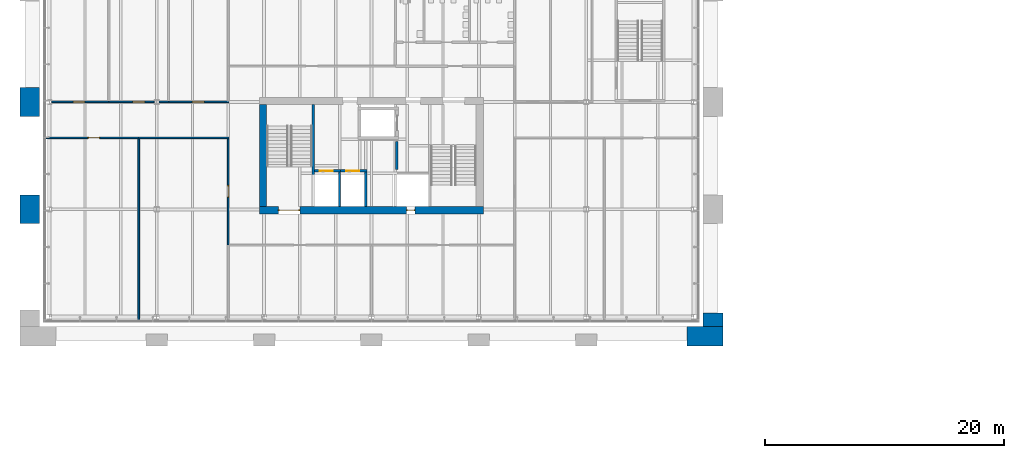
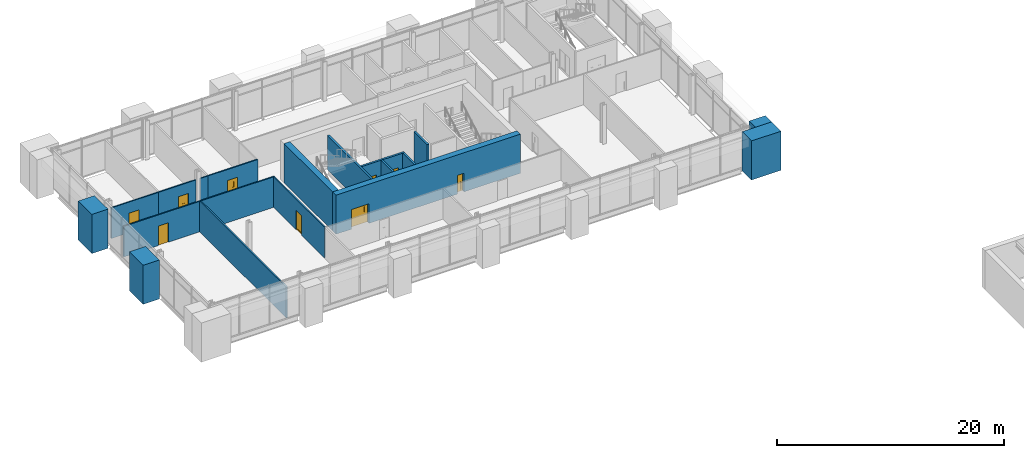
# One storey, part 23 of 43: 20 walls, 9 doors, 9 openings.
"""IFC4 building model written with IfcOpenShell, lengths in metres."""

from ifc_helpers import new_model, si_unit, direction, frame, frame_2d, origin, place, context, subcontext, project, spatial, polyline, rectangle, outline, extrude, material, layer, layer_set, type_object, element, fill, save


model = new_model("IFC4")

# Units and contexts
model_context = context("Model", 3, precision=1e-05, world=origin(), true_north=direction((0.0, 1.0)))
body_context = subcontext(model_context, "Body", "Model", "MODEL_VIEW")
ifc_project = project(units=[si_unit("LENGTHUNIT", "METRE"), si_unit("AREAUNIT", "SQUARE_METRE"), si_unit("VOLUMEUNIT", "CUBIC_METRE"), si_unit("PLANEANGLEUNIT", "RADIAN"), si_unit("MASSUNIT", "GRAM", prefix="KILO")], contexts=[model_context])

# Site, building, storey
site_placement = place(None, origin())
site = spatial("IfcSite", under=ifc_project, at=site_placement, CompositionType="ELEMENT")
building_placement = place(site_placement, origin())
building = spatial("IfcBuilding", under=site, at=building_placement, Name="Baradari Gate Terminus", CompositionType="ELEMENT")
storey_placement = place(building_placement, frame((0.0, 0.0, 20.10009765625)))
storey = spatial("IfcBuildingStorey", under=building, at=storey_placement, Name="L04", CompositionType="ELEMENT", Elevation=20.10009765625)

# Wall, opening, door
ifc_material_1 = material(Name="Gypsum board")
ifc_layer_1 = layer(ifc_material_1, 0.125)
ifc_layer_set_1 = layer_set([ifc_layer_1], Name="Gypsum board")
wall_type_1 = type_object("IfcWallType", Name="Corridor partition PT-5 125 EI 30", PredefinedType="PARTITIONING", material=ifc_layer_set_1)
wall_1_placement = place(storey_placement, frame((16.5, 132.0, 0.0), z_axis=(0.0, 0.0, 1.0), x_axis=(-1.0, 0.0, 0.0)))
wall_1 = element("IfcWall", 1, at=wall_1_placement, inside=storey, type_object=wall_type_1, Name="PT-5 partition Corridor / Planning Office", PredefinedType="PARTITIONING", context=body_context, shape_type="SweptSolid", body=[
    extrude(rectangle(XDim=7.77001953125, YDim=0.125, at=frame_2d((3.885009765625, 0.0))), origin(), (0.0, 0.0, 1.0), 3.286865234375),
])
opening_1_placement = place(wall_1_placement, frame((3.25, 0.0, 0.0)))
opening_1 = element("IfcOpeningElement", 2, at=opening_1_placement, cuts=wall_1, Name="Opening D04-022", PredefinedType="OPENING", context=body_context, shape_type="SweptSolid", body=[
    extrude(rectangle(XDim=1.0, YDim=2.10009765625, at=frame_2d((0.5, 1.050048828125))), frame((0.0, 0.072509765625, 0.0), z_axis=(0.0, -1.0, 0.0), x_axis=(1.0, 0.0, 0.0)), (0.0, 0.0, 1.0), 0.14501953125),
])
ifc_material_2 = material(Name="Steel S275", Category="steel")
door_type_1 = type_object("IfcDoorType", Name="Fire door FI-1000-FD30S 1000x2100 FD30S", OperationType="SINGLE_SWING_LEFT", PredefinedType="DOOR", material=ifc_material_2)
door_1_placement = place(opening_1_placement, origin())
door_1 = element("IfcDoor", 3, at=door_1_placement, inside=storey, type_object=door_type_1, Name="Door Planning Office", OperationType="SINGLE_SWING_LEFT", OverallHeight=2.1, OverallWidth=1.0, PredefinedType="DOOR", context=body_context, shape_type="SweptSolid", body=[
    extrude(outline(polyline([(0.0, 0.0), (0.070068359375, 0.0), (0.070068359375, 2.030029296875), (0.929931640625, 2.030029296875), (0.929931640625, 0.0), (1.0, 0.0), (1.0, 2.10009765625), (0.0, 2.10009765625), (0.0, 0.0)])), frame((0.0, 0.02490234375, 0.0), z_axis=(0.0, -1.0, 0.0), x_axis=(1.0, 0.0, 0.0)), (0.0, 0.0, 1.0), 0.050048828125),
    extrude(outline(polyline([(0.073974609375, 0.010009765625), (0.926025390625, 0.010009765625), (0.926025390625, 2.026123046875), (0.073974609375, 2.026123046875), (0.073974609375, 0.010009765625)]), holes=[polyline([(0.194091796875, 0.159912109375), (0.805908203125, 0.159912109375), (0.805908203125, 1.010009765625), (0.194091796875, 1.010009765625), (0.194091796875, 0.159912109375)]), polyline([(0.35009765625, 1.159912109375), (0.64990234375, 1.159912109375), (0.64990234375, 1.760009765625), (0.35009765625, 1.760009765625), (0.35009765625, 1.159912109375)])]), frame((0.0, 0.017333984375, 0.0), z_axis=(0.0, -1.0, 0.0), x_axis=(1.0, 0.0, 0.0)), (0.0, 0.0, 1.0), 0.034912109375),
    extrude(rectangle(XDim=0.61181640625, YDim=0.85009765625, at=frame_2d((0.5, 0.5849609375))), frame((0.0, 0.008544921875, 0.0), z_axis=(0.0, -1.0, 0.0), x_axis=(1.0, 0.0, 0.0)), (0.0, 0.0, 1.0), 0.017333984375),
    extrude(rectangle(XDim=0.2998046875, YDim=0.60009765625, at=frame_2d((0.5, 1.4599609375))), frame((0.0, 0.005859375, 0.0), z_axis=(0.0, -1.0, 0.0), x_axis=(1.0, 0.0, 0.0)), (0.0, 0.0, 1.0), 0.011962890625),
])
fill(opening_1, door_1)

wall_2_placement = place(storey_placement, frame((24.0, 123.0, 0.0), z_axis=(0.0, 0.0, 1.0), x_axis=(0.0, 1.0, 0.0)))
wall_2 = element("IfcWall", 4, at=wall_2_placement, inside=storey, type_object=wall_type_1, Name="PT-5 partition Corridor / Records Room", PredefinedType="PARTITIONING", context=body_context, shape_type="SweptSolid", body=[
    extrude(rectangle(XDim=8.9375, YDim=0.125, at=frame_2d((4.46875, 0.0))), origin(), (0.0, 0.0, 1.0), 3.286865234375),
])
opening_2_placement = place(wall_2_placement, frame((4.0, 0.0, 0.0)))
opening_2 = element("IfcOpeningElement", 5, at=opening_2_placement, cuts=wall_2, Name="Opening D04-023", PredefinedType="OPENING", context=body_context, shape_type="SweptSolid", body=[
    extrude(rectangle(XDim=1.0, YDim=2.10009765625, at=frame_2d((0.5, 1.050048828125))), frame((0.0, 0.072509765625, 0.0), z_axis=(0.0, -1.0, 0.0), x_axis=(1.0, 0.0, 0.0)), (0.0, 0.0, 1.0), 0.14501953125),
])
door_2_placement = place(opening_2_placement, origin())
door_2 = element("IfcDoor", 6, at=door_2_placement, inside=storey, type_object=door_type_1, Name="Door Records Room", OperationType="SINGLE_SWING_RIGHT", OverallHeight=2.1, OverallWidth=1.0, PredefinedType="DOOR", context=body_context, shape_type="SweptSolid", body=[
    extrude(outline(polyline([(0.0, 0.0), (0.070068359375, 0.0), (0.070068359375, 2.030029296875), (0.929931640625, 2.030029296875), (0.929931640625, 0.0), (1.0, 0.0), (1.0, 2.10009765625), (0.0, 2.10009765625), (0.0, 0.0)])), frame((0.0, 0.02490234375, 0.0), z_axis=(0.0, -1.0, 0.0), x_axis=(1.0, 0.0, 0.0)), (0.0, 0.0, 1.0), 0.050048828125),
    extrude(outline(polyline([(0.073974609375, 0.010009765625), (0.926025390625, 0.010009765625), (0.926025390625, 2.026123046875), (0.073974609375, 2.026123046875), (0.073974609375, 0.010009765625)]), holes=[polyline([(0.194091796875, 0.159912109375), (0.805908203125, 0.159912109375), (0.805908203125, 1.010009765625), (0.194091796875, 1.010009765625), (0.194091796875, 0.159912109375)]), polyline([(0.35009765625, 1.159912109375), (0.64990234375, 1.159912109375), (0.64990234375, 1.760009765625), (0.35009765625, 1.760009765625), (0.35009765625, 1.159912109375)])]), frame((0.0, 0.017333984375, 0.0), z_axis=(0.0, -1.0, 0.0), x_axis=(1.0, 0.0, 0.0)), (0.0, 0.0, 1.0), 0.034912109375),
    extrude(rectangle(XDim=0.61181640625, YDim=0.85009765625, at=frame_2d((0.5, 0.5849609375))), frame((0.0, 0.008544921875, 0.0), z_axis=(0.0, -1.0, 0.0), x_axis=(1.0, 0.0, 0.0)), (0.0, 0.0, 1.0), 0.017333984375),
    extrude(rectangle(XDim=0.2998046875, YDim=0.60009765625, at=frame_2d((0.5, 1.4599609375))), frame((0.0, 0.005859375, 0.0), z_axis=(0.0, -1.0, 0.0), x_axis=(1.0, 0.0, 0.0)), (0.0, 0.0, 1.0), 0.011962890625),
])
fill(opening_2, door_2)

# Wall
wall_3_placement = place(storey_placement, frame((24.0625, 132.0, 0.0), z_axis=(0.0, 0.0, 1.0), x_axis=(-1.0, 0.0, 0.0)))
element("IfcWall", 7, at=wall_3_placement, inside=storey, type_object=wall_type_1, Name="PT-5 partition Corridor / Records Room", PredefinedType="PARTITIONING", context=body_context, shape_type="SweptSolid", body=[
    extrude(rectangle(XDim=7.5625, YDim=0.125, at=frame_2d((3.78125, 0.0))), origin(), (0.0, 0.0, 1.0), 3.286865234375),
])

# Wall, opening, door
wall_4_placement = place(storey_placement, frame((9.197509765625, 135.0, 0.0), z_axis=(0.0, 0.0, 1.0), x_axis=(1.0, 0.0, 0.0)))
wall_4 = element("IfcWall", 8, at=wall_4_placement, inside=storey, type_object=wall_type_1, Name="PT-5 partition Corridor / Station Master's Office", PredefinedType="PARTITIONING", context=body_context, shape_type="SweptSolid", body=[
    extrude(rectangle(XDim=4.802490234375, YDim=0.125, at=frame_2d((2.4013671875, 0.0))), origin(), (0.0, 0.0, 1.0), 3.286865234375),
])
opening_3_placement = place(wall_4_placement, frame((1.802490234375, 0.0, 0.0)))
opening_3 = element("IfcOpeningElement", 9, at=opening_3_placement, cuts=wall_4, Name="Opening D04-019", PredefinedType="OPENING", context=body_context, shape_type="SweptSolid", body=[
    extrude(rectangle(XDim=1.0, YDim=2.10009765625, at=frame_2d((0.5, 1.050048828125))), frame((0.0, 0.072509765625, 0.0), z_axis=(0.0, -1.0, 0.0), x_axis=(1.0, 0.0, 0.0)), (0.0, 0.0, 1.0), 0.14501953125),
])
door_3_placement = place(opening_3_placement, origin())
door_3 = element("IfcDoor", 10, at=door_3_placement, inside=storey, type_object=door_type_1, Name="Door Station Master's Office", OperationType="SINGLE_SWING_RIGHT", OverallHeight=2.1, OverallWidth=1.0, PredefinedType="DOOR", context=body_context, shape_type="SweptSolid", body=[
    extrude(outline(polyline([(0.0, 0.0), (0.070068359375, 0.0), (0.070068359375, 2.030029296875), (0.929931640625, 2.030029296875), (0.929931640625, 0.0), (1.0, 0.0), (1.0, 2.10009765625), (0.0, 2.10009765625), (0.0, 0.0)])), frame((0.0, 0.02490234375, 0.0), z_axis=(0.0, -1.0, 0.0), x_axis=(1.0, 0.0, 0.0)), (0.0, 0.0, 1.0), 0.050048828125),
    extrude(outline(polyline([(0.073974609375, 0.010009765625), (0.926025390625, 0.010009765625), (0.926025390625, 2.026123046875), (0.073974609375, 2.026123046875), (0.073974609375, 0.010009765625)]), holes=[polyline([(0.194091796875, 0.159912109375), (0.805908203125, 0.159912109375), (0.805908203125, 1.010009765625), (0.194091796875, 1.010009765625), (0.194091796875, 0.159912109375)]), polyline([(0.35009765625, 1.159912109375), (0.64990234375, 1.159912109375), (0.64990234375, 1.760009765625), (0.35009765625, 1.760009765625), (0.35009765625, 1.159912109375)])]), frame((0.0, 0.017333984375, 0.0), z_axis=(0.0, -1.0, 0.0), x_axis=(1.0, 0.0, 0.0)), (0.0, 0.0, 1.0), 0.034912109375),
    extrude(rectangle(XDim=0.61181640625, YDim=0.85009765625, at=frame_2d((0.5, 0.5849609375))), frame((0.0, 0.008544921875, 0.0), z_axis=(0.0, -1.0, 0.0), x_axis=(1.0, 0.0, 0.0)), (0.0, 0.0, 1.0), 0.017333984375),
    extrude(rectangle(XDim=0.2998046875, YDim=0.60009765625, at=frame_2d((0.5, 1.4599609375))), frame((0.0, 0.005859375, 0.0), z_axis=(0.0, -1.0, 0.0), x_axis=(1.0, 0.0, 0.0)), (0.0, 0.0, 1.0), 0.011962890625),
])
fill(opening_3, door_3)

wall_5_placement = place(storey_placement, frame((19.0, 135.0, 0.0), z_axis=(0.0, 0.0, 1.0), x_axis=(1.0, 0.0, 0.0)))
wall_5 = element("IfcWall", 11, at=wall_5_placement, inside=storey, type_object=wall_type_1, Name="PT-5 partition Corridor / Freight and Parcels Office", PredefinedType="PARTITIONING", context=body_context, shape_type="SweptSolid", body=[
    extrude(rectangle(XDim=5.0625, YDim=0.125, at=frame_2d((2.53125, 0.0))), origin(), (0.0, 0.0, 1.0), 3.286865234375),
])
opening_4_placement = place(wall_5_placement, frame((2.0, 0.0, 0.0)))
opening_4 = element("IfcOpeningElement", 12, at=opening_4_placement, cuts=wall_5, Name="Opening D04-021", PredefinedType="OPENING", context=body_context, shape_type="SweptSolid", body=[
    extrude(rectangle(XDim=1.0, YDim=2.10009765625, at=frame_2d((0.5, 1.050048828125))), frame((0.0, 0.072509765625, 0.0), z_axis=(0.0, -1.0, 0.0), x_axis=(1.0, 0.0, 0.0)), (0.0, 0.0, 1.0), 0.14501953125),
])
door_4_placement = place(opening_4_placement, origin())
door_4 = element("IfcDoor", 13, at=door_4_placement, inside=storey, type_object=door_type_1, Name="Door Freight and Parcels Office", OperationType="SINGLE_SWING_LEFT", OverallHeight=2.1, OverallWidth=1.0, PredefinedType="DOOR", context=body_context, shape_type="SweptSolid", body=[
    extrude(outline(polyline([(0.0, 0.0), (0.070068359375, 0.0), (0.070068359375, 2.030029296875), (0.929931640625, 2.030029296875), (0.929931640625, 0.0), (1.0, 0.0), (1.0, 2.10009765625), (0.0, 2.10009765625), (0.0, 0.0)])), frame((0.0, 0.02490234375, 0.0), z_axis=(0.0, -1.0, 0.0), x_axis=(1.0, 0.0, 0.0)), (0.0, 0.0, 1.0), 0.050048828125),
    extrude(outline(polyline([(0.073974609375, 0.010009765625), (0.926025390625, 0.010009765625), (0.926025390625, 2.026123046875), (0.073974609375, 2.026123046875), (0.073974609375, 0.010009765625)]), holes=[polyline([(0.194091796875, 0.159912109375), (0.805908203125, 0.159912109375), (0.805908203125, 1.010009765625), (0.194091796875, 1.010009765625), (0.194091796875, 0.159912109375)]), polyline([(0.35009765625, 1.159912109375), (0.64990234375, 1.159912109375), (0.64990234375, 1.760009765625), (0.35009765625, 1.760009765625), (0.35009765625, 1.159912109375)])]), frame((0.0, 0.017333984375, 0.0), z_axis=(0.0, -1.0, 0.0), x_axis=(1.0, 0.0, 0.0)), (0.0, 0.0, 1.0), 0.034912109375),
    extrude(rectangle(XDim=0.61181640625, YDim=0.85009765625, at=frame_2d((0.5, 0.5849609375))), frame((0.0, 0.008544921875, 0.0), z_axis=(0.0, -1.0, 0.0), x_axis=(1.0, 0.0, 0.0)), (0.0, 0.0, 1.0), 0.017333984375),
    extrude(rectangle(XDim=0.2998046875, YDim=0.60009765625, at=frame_2d((0.5, 1.4599609375))), frame((0.0, 0.005859375, 0.0), z_axis=(0.0, -1.0, 0.0), x_axis=(1.0, 0.0, 0.0)), (0.0, 0.0, 1.0), 0.011962890625),
])
fill(opening_4, door_4)

wall_6_placement = place(storey_placement, frame((14.0, 135.0, 0.0), z_axis=(0.0, 0.0, 1.0), x_axis=(1.0, 0.0, 0.0)))
wall_6 = element("IfcWall", 14, at=wall_6_placement, inside=storey, type_object=wall_type_1, Name="PT-5 partition Corridor / Revenue Office", PredefinedType="PARTITIONING", context=body_context, shape_type="SweptSolid", body=[
    extrude(rectangle(XDim=3.798583984375, YDim=0.125, at=frame_2d((1.8994140625, 0.0))), origin(), (0.0, 0.0, 1.0), 3.286865234375),
])
opening_5_placement = place(wall_6_placement, frame((2.0, 0.0, 0.0)))
opening_5 = element("IfcOpeningElement", 15, at=opening_5_placement, cuts=wall_6, Name="Opening D04-020", PredefinedType="OPENING", context=body_context, shape_type="SweptSolid", body=[
    extrude(rectangle(XDim=1.0, YDim=2.10009765625, at=frame_2d((0.5, 1.050048828125))), frame((0.0, 0.072509765625, 0.0), z_axis=(0.0, -1.0, 0.0), x_axis=(1.0, 0.0, 0.0)), (0.0, 0.0, 1.0), 0.14501953125),
])
door_5_placement = place(opening_5_placement, origin())
door_5 = element("IfcDoor", 16, at=door_5_placement, inside=storey, type_object=door_type_1, Name="Door Revenue Office", OperationType="SINGLE_SWING_LEFT", OverallHeight=2.1, OverallWidth=1.0, PredefinedType="DOOR", context=body_context, shape_type="SweptSolid", body=[
    extrude(outline(polyline([(0.0, 0.0), (0.070068359375, 0.0), (0.070068359375, 2.030029296875), (0.929931640625, 2.030029296875), (0.929931640625, 0.0), (1.0, 0.0), (1.0, 2.10009765625), (0.0, 2.10009765625), (0.0, 0.0)])), frame((0.0, 0.02490234375, 0.0), z_axis=(0.0, -1.0, 0.0), x_axis=(1.0, 0.0, 0.0)), (0.0, 0.0, 1.0), 0.050048828125),
    extrude(outline(polyline([(0.073974609375, 0.010009765625), (0.926025390625, 0.010009765625), (0.926025390625, 2.026123046875), (0.073974609375, 2.026123046875), (0.073974609375, 0.010009765625)]), holes=[polyline([(0.194091796875, 0.159912109375), (0.805908203125, 0.159912109375), (0.805908203125, 1.010009765625), (0.194091796875, 1.010009765625), (0.194091796875, 0.159912109375)]), polyline([(0.35009765625, 1.159912109375), (0.64990234375, 1.159912109375), (0.64990234375, 1.760009765625), (0.35009765625, 1.760009765625), (0.35009765625, 1.159912109375)])]), frame((0.0, 0.017333984375, 0.0), z_axis=(0.0, -1.0, 0.0), x_axis=(1.0, 0.0, 0.0)), (0.0, 0.0, 1.0), 0.034912109375),
    extrude(rectangle(XDim=0.61181640625, YDim=0.85009765625, at=frame_2d((0.5, 0.5849609375))), frame((0.0, 0.008544921875, 0.0), z_axis=(0.0, -1.0, 0.0), x_axis=(1.0, 0.0, 0.0)), (0.0, 0.0, 1.0), 0.017333984375),
    extrude(rectangle(XDim=0.2998046875, YDim=0.60009765625, at=frame_2d((0.5, 1.4599609375))), frame((0.0, 0.005859375, 0.0), z_axis=(0.0, -1.0, 0.0), x_axis=(1.0, 0.0, 0.0)), (0.0, 0.0, 1.0), 0.011962890625),
])
fill(opening_5, door_5)

# Wall
wall_7_placement = place(storey_placement, frame((18.201416015625, 135.0, 0.0), z_axis=(0.0, 0.0, 1.0), x_axis=(1.0, 0.0, 0.0)))
element("IfcWall", 17, at=wall_7_placement, inside=storey, type_object=wall_type_1, Name="PT-5 partition Corridor / Revenue Office", PredefinedType="PARTITIONING", context=body_context, shape_type="SweptSolid", body=[
    extrude(rectangle(XDim=0.798583984375, YDim=0.125, at=frame_2d((0.3994140625, 0.0))), origin(), (0.0, 0.0, 1.0), 3.286865234375),
])

# Wall, opening, door
ifc_material_3 = material(Name="Blockwork wall, fire rated", Category="masonry")
ifc_layer_2 = layer(ifc_material_3, 0.199951171875)
ifc_layer_set_2 = layer_set([ifc_layer_2], Name="Blockwork wall, fire rated")
wall_type_2 = type_object("IfcWallType", Name="Lift shaft wall SH-1 200 EI 120", PredefinedType="SOLIDWALL", material=ifc_layer_set_2)
wall_8_placement = place(storey_placement, frame((31.22705078125, 129.22509765625, 0.0), z_axis=(0.0, 0.0, 1.0), x_axis=(1.0, 0.0, 0.0)))
wall_8 = element("IfcWall", 18, at=wall_8_placement, inside=storey, type_object=wall_type_2, Name="Lift shaft wall LT1 L04 N", PredefinedType="SOLIDWALL", context=body_context, shape_type="SweptSolid", body=[
    extrude(rectangle(XDim=2.197998046875, YDim=0.199951171875, at=frame_2d((1.09912109375, 0.0))), origin(), (0.0, 0.0, 1.0), 3.515869140625),
])
opening_6_placement = place(wall_8_placement, frame((0.447998046875, 0.0, 0.0)))
opening_6 = element("IfcOpeningElement", 19, at=opening_6_placement, cuts=wall_8, Name="Opening D04-005", PredefinedType="OPENING", context=body_context, shape_type="SweptSolid", body=[
    extrude(rectangle(XDim=1.10009765625, YDim=2.10009765625, at=frame_2d((0.550048828125, 1.050048828125))), frame((0.0, 0.10986328125, 0.0), z_axis=(0.0, -1.0, 0.0), x_axis=(1.0, 0.0, 0.0)), (0.0, 0.0, 1.0), 0.219970703125),
])
ifc_material_4 = material(Name="Stainless steel 1.4301", Category="steel")
door_type_2 = type_object("IfcDoorType", Name="Lift landing door LD 1100x2100 E 120", OperationType="SLIDING_TO_LEFT", PredefinedType="DOOR", material=ifc_material_4)
door_6_placement = place(opening_6_placement, origin())
door_6 = element("IfcDoor", 20, at=door_6_placement, inside=storey, type_object=door_type_2, Name="Lift landing door LT1 L04", OperationType="SLIDING_TO_LEFT", OverallHeight=2.1, OverallWidth=1.1, PredefinedType="DOOR", context=body_context, shape_type="SweptSolid", body=[
    extrude(outline(polyline([(0.0, 0.0), (0.070068359375, 0.0), (0.070068359375, 2.030029296875), (1.030029296875, 2.030029296875), (1.030029296875, 0.0), (1.10009765625, 0.0), (1.10009765625, 2.10009765625), (0.0, 2.10009765625), (0.0, 0.0)])), frame((0.0, 0.02490234375, 0.0), z_axis=(0.0, -1.0, 0.0), x_axis=(1.0, 0.0, 0.0)), (0.0, 0.0, 1.0), 0.050048828125),
    extrude(rectangle(XDim=0.523681640625, YDim=2.01611328125, at=frame_2d((0.3359375, 1.01806640625))), frame((0.0, 0.017822265625, 0.0), z_axis=(0.0, -1.0, 0.0), x_axis=(1.0, 0.0, 0.0)), (0.0, 0.0, 1.0), 0.015869140625),
    extrude(rectangle(XDim=0.519775390625, YDim=2.01611328125, at=frame_2d((0.76611328125, 1.01806640625))), frame((0.0, -0.002197265625, 0.0), z_axis=(0.0, -1.0, 0.0), x_axis=(1.0, 0.0, 0.0)), (0.0, 0.0, 1.0), 0.015869140625),
])
fill(opening_6, door_6)

# Wall
wall_9_placement = place(storey_placement, frame((33.324951171875, 126.22705078125, 0.0), z_axis=(0.0, 0.0, 1.0), x_axis=(0.0, 1.0, 0.0)))
element("IfcWall", 21, at=wall_9_placement, inside=storey, type_object=wall_type_2, Name="Lift shaft wall LT1 L04 E", PredefinedType="SOLIDWALL", context=body_context, shape_type="SweptSolid", body=[
    extrude(rectangle(XDim=2.89794921875, YDim=0.199951171875, at=frame_2d((1.448974609375, 0.0))), origin(), (0.0, 0.0, 1.0), 3.515869140625),
])

# Wall, opening, door
wall_10_placement = place(storey_placement, frame((33.427001953125, 129.22509765625, 0.0), z_axis=(0.0, 0.0, 1.0), x_axis=(1.0, 0.0, 0.0)))
wall_10 = element("IfcWall", 22, at=wall_10_placement, inside=storey, type_object=wall_type_2, Name="Lift shaft wall LT2 L04 N", PredefinedType="SOLIDWALL", context=body_context, shape_type="SweptSolid", body=[
    extrude(rectangle(XDim=2.197998046875, YDim=0.199951171875, at=frame_2d((1.09912109375, 0.0))), origin(), (0.0, 0.0, 1.0), 3.515869140625),
])
opening_7_placement = place(wall_10_placement, frame((0.447998046875, 0.0, 0.0)))
opening_7 = element("IfcOpeningElement", 23, at=opening_7_placement, cuts=wall_10, Name="Opening D04-006", PredefinedType="OPENING", context=body_context, shape_type="SweptSolid", body=[
    extrude(rectangle(XDim=1.10009765625, YDim=2.10009765625, at=frame_2d((0.550048828125, 1.050048828125))), frame((0.0, 0.10986328125, 0.0), z_axis=(0.0, -1.0, 0.0), x_axis=(1.0, 0.0, 0.0)), (0.0, 0.0, 1.0), 0.219970703125),
])
door_7_placement = place(opening_7_placement, origin())
door_7 = element("IfcDoor", 24, at=door_7_placement, inside=storey, type_object=door_type_2, Name="Lift landing door LT2 L04", OperationType="SLIDING_TO_LEFT", OverallHeight=2.1, OverallWidth=1.1, PredefinedType="DOOR", context=body_context, shape_type="SweptSolid", body=[
    extrude(outline(polyline([(0.0, 0.0), (0.070068359375, 0.0), (0.070068359375, 2.030029296875), (1.030029296875, 2.030029296875), (1.030029296875, 0.0), (1.10009765625, 0.0), (1.10009765625, 2.10009765625), (0.0, 2.10009765625), (0.0, 0.0)])), frame((0.0, 0.02490234375, 0.0), z_axis=(0.0, -1.0, 0.0), x_axis=(1.0, 0.0, 0.0)), (0.0, 0.0, 1.0), 0.050048828125),
    extrude(rectangle(XDim=0.523681640625, YDim=2.01611328125, at=frame_2d((0.3359375, 1.01806640625))), frame((0.0, 0.017822265625, 0.0), z_axis=(0.0, -1.0, 0.0), x_axis=(1.0, 0.0, 0.0)), (0.0, 0.0, 1.0), 0.015869140625),
    extrude(rectangle(XDim=0.519775390625, YDim=2.01611328125, at=frame_2d((0.76611328125, 1.01806640625))), frame((0.0, -0.002197265625, 0.0), z_axis=(0.0, -1.0, 0.0), x_axis=(1.0, 0.0, 0.0)), (0.0, 0.0, 1.0), 0.015869140625),
])
fill(opening_7, door_7)

# Walls
wall_11_placement = place(storey_placement, frame((35.52490234375, 126.22705078125, 0.0), z_axis=(0.0, 0.0, 1.0), x_axis=(0.0, 1.0, 0.0)))
element("IfcWall", 25, at=wall_11_placement, inside=storey, type_object=wall_type_2, Name="Lift shaft wall LT2 L04 E", PredefinedType="SOLIDWALL", context=body_context, shape_type="SweptSolid", body=[
    extrude(rectangle(XDim=2.89794921875, YDim=0.199951171875, at=frame_2d((1.448974609375, 0.0))), origin(), (0.0, 0.0, 1.0), 3.515869140625),
])
ifc_material_5 = material(Name="Blockwork wall, plastered, fire rated", Category="masonry")
ifc_layer_3 = layer(ifc_material_5, 0.199951171875)
ifc_layer_set_3 = layer_set([ifc_layer_3], Name="Blockwork wall, plastered, fire rated")
wall_type_3 = type_object("IfcWallType", Name="Lobby partition PT-4 200 EI 60", PredefinedType="PARTITIONING", material=ifc_layer_set_3)
wall_12_placement = place(storey_placement, frame((38.125, 131.675048828125, 0.0), z_axis=(0.0, 0.0, 1.0), x_axis=(0.0, -1.0, 0.0)))
element("IfcWall", 26, at=wall_12_placement, inside=storey, type_object=wall_type_3, Name="PT-4 partition Lift Lobby / Lift Lobby (Fire-fighting)", PredefinedType="PARTITIONING", context=body_context, shape_type="SweptSolid", body=[
    extrude(rectangle(XDim=2.35009765625, YDim=0.199951171875, at=frame_2d((1.175048828125, 0.0))), origin(), (0.0, 0.0, 1.0), 3.3818359375),
])

# Wall, openings, doors
ifc_material_6 = material(Name="Concrete C40/50", Category="concrete")
ifc_layer_4 = layer(ifc_material_6, 0.60009765625)
ifc_layer_set_4 = layer_set([ifc_layer_4], Name="Concrete C40/50")
wall_type_4 = type_object("IfcWallType", Name="Operations block core wall CWL01 600", PredefinedType="SOLIDWALL", material=ifc_layer_set_4)
wall_13_placement = place(storey_placement, frame((26.625, 125.925048828125, 0.0), z_axis=(0.0, 0.0, 1.0), x_axis=(1.0, 0.0, 0.0)))
wall_13 = element("IfcWall", 27, at=wall_13_placement, inside=storey, type_object=wall_type_4, Name="Operations block core wall CT S L04", PredefinedType="SOLIDWALL", context=body_context, shape_type="SweptSolid", body=[
    extrude(rectangle(XDim=18.75, YDim=0.60009765625, at=frame_2d((9.375, 0.0))), origin(), (0.0, 0.0, 1.0), 4.199951171875),
])
opening_8_placement = place(wall_13_placement, frame((1.574951171875, 0.0, 0.0)))
opening_8 = element("IfcOpeningElement", 28, at=opening_8_placement, cuts=wall_13, Name="Opening D04-008", PredefinedType="OPENING", context=body_context, shape_type="SweptSolid", body=[
    extrude(rectangle(XDim=1.800048828125, YDim=2.10009765625, at=frame_2d((0.89990234375, 1.050048828125))), frame((0.0, 0.31005859375, 0.0), z_axis=(0.0, -1.0, 0.0), x_axis=(1.0, 0.0, 0.0)), (0.0, 0.0, 1.0), 0.6201171875),
])
opening_9_placement = place(wall_13_placement, frame((12.324951171875, 0.0, 0.0)))
opening_9 = element("IfcOpeningElement", 29, at=opening_9_placement, cuts=wall_13, Name="Opening D04-012", PredefinedType="OPENING", context=body_context, shape_type="SweptSolid", body=[
    extrude(rectangle(XDim=0.699951171875, YDim=2.0, at=frame_2d((0.35009765625, 1.0))), frame((0.0, 0.31005859375, 0.0), z_axis=(0.0, -1.0, 0.0), x_axis=(1.0, 0.0, 0.0)), (0.0, 0.0, 1.0), 0.6201171875),
])
ifc_material_7 = material(Name="Steel S275", Category="steel")
door_type_3 = type_object("IfcDoorType", Name="Fire door FI-1800-FD90S 1800x2100 FD90S", OperationType="DOUBLE_DOOR_SINGLE_SWING", PredefinedType="DOOR", material=ifc_material_7)
door_8_placement = place(opening_8_placement, origin())
door_8 = element("IfcDoor", 30, at=door_8_placement, inside=storey, type_object=door_type_3, Name="Door Stair (Core) 1", OperationType="DOUBLE_DOOR_SINGLE_SWING", OverallHeight=2.1, OverallWidth=1.8, PredefinedType="DOOR", context=body_context, shape_type="SweptSolid", body=[
    extrude(outline(polyline([(0.0, 0.0), (0.070068359375, 0.0), (0.070068359375, 2.030029296875), (1.72998046875, 2.030029296875), (1.72998046875, 0.0), (1.800048828125, 0.0), (1.800048828125, 2.10009765625), (0.0, 2.10009765625), (0.0, 0.0)])), frame((0.0, 0.02490234375, 0.0), z_axis=(0.0, -1.0, 0.0), x_axis=(1.0, 0.0, 0.0)), (0.0, 0.0, 1.0), 0.050048828125),
    extrude(outline(polyline([(0.073974609375, 0.010009765625), (0.89697265625, 0.010009765625), (0.89697265625, 2.026123046875), (0.073974609375, 2.026123046875), (0.073974609375, 0.010009765625)]), holes=[polyline([(0.194091796875, 0.159912109375), (0.77685546875, 0.159912109375), (0.77685546875, 1.010009765625), (0.194091796875, 1.010009765625), (0.194091796875, 0.159912109375)]), polyline([(0.33544921875, 1.159912109375), (0.635498046875, 1.159912109375), (0.635498046875, 1.760009765625), (0.33544921875, 1.760009765625), (0.33544921875, 1.159912109375)])]), frame((0.0, 0.017333984375, 0.0), z_axis=(0.0, -1.0, 0.0), x_axis=(1.0, 0.0, 0.0)), (0.0, 0.0, 1.0), 0.034912109375),
    extrude(rectangle(XDim=0.582763671875, YDim=0.85009765625, at=frame_2d((0.4853515625, 0.5849609375))), frame((0.0, 0.008544921875, 0.0), z_axis=(0.0, -1.0, 0.0), x_axis=(1.0, 0.0, 0.0)), (0.0, 0.0, 1.0), 0.017333984375),
    extrude(rectangle(XDim=0.300048828125, YDim=0.60009765625, at=frame_2d((0.4853515625, 1.4599609375))), frame((0.0, 0.005859375, 0.0), z_axis=(0.0, -1.0, 0.0), x_axis=(1.0, 0.0, 0.0)), (0.0, 0.0, 1.0), 0.011962890625),
    extrude(outline(polyline([(0.903076171875, 0.010009765625), (1.72607421875, 0.010009765625), (1.72607421875, 2.026123046875), (0.903076171875, 2.026123046875), (0.903076171875, 0.010009765625)]), holes=[polyline([(1.023193359375, 0.159912109375), (1.60595703125, 0.159912109375), (1.60595703125, 1.010009765625), (1.023193359375, 1.010009765625), (1.023193359375, 0.159912109375)]), polyline([(1.16455078125, 1.159912109375), (1.464599609375, 1.159912109375), (1.464599609375, 1.760009765625), (1.16455078125, 1.760009765625), (1.16455078125, 1.159912109375)])]), frame((0.0, 0.017333984375, 0.0), z_axis=(0.0, -1.0, 0.0), x_axis=(1.0, 0.0, 0.0)), (0.0, 0.0, 1.0), 0.034912109375),
    extrude(rectangle(XDim=0.582763671875, YDim=0.85009765625, at=frame_2d((1.314453125, 0.5849609375))), frame((0.0, 0.008544921875, 0.0), z_axis=(0.0, -1.0, 0.0), x_axis=(1.0, 0.0, 0.0)), (0.0, 0.0, 1.0), 0.017333984375),
    extrude(rectangle(XDim=0.300048828125, YDim=0.60009765625, at=frame_2d((1.314453125, 1.4599609375))), frame((0.0, 0.005859375, 0.0), z_axis=(0.0, -1.0, 0.0), x_axis=(1.0, 0.0, 0.0)), (0.0, 0.0, 1.0), 0.011962890625),
])
fill(opening_8, door_8)
ifc_material_8 = material(Name="Steel S275", Category="steel")
door_type_4 = type_object("IfcDoorType", Name="Fire door FI-700x2000-FD90S 700x2000 FD90S", OperationType="SINGLE_SWING_LEFT", PredefinedType="DOOR", material=ifc_material_8)
door_9_placement = place(opening_9_placement, origin())
door_9 = element("IfcDoor", 31, at=door_9_placement, inside=storey, type_object=door_type_4, Name="Door Riser", OperationType="SINGLE_SWING_RIGHT", OverallHeight=2.0, OverallWidth=0.7, PredefinedType="DOOR", context=body_context, shape_type="SweptSolid", body=[
    extrude(outline(polyline([(0.0, 0.0), (0.070068359375, 0.0), (0.070068359375, 1.929931640625), (0.6298828125, 1.929931640625), (0.6298828125, 0.0), (0.699951171875, 0.0), (0.699951171875, 2.0), (0.0, 2.0), (0.0, 0.0)])), frame((0.0, 0.02490234375, 0.0), z_axis=(0.0, -1.0, 0.0), x_axis=(1.0, 0.0, 0.0)), (0.0, 0.0, 1.0), 0.050048828125),
    extrude(outline(polyline([(0.073974609375, 0.010009765625), (0.6259765625, 0.010009765625), (0.6259765625, 1.926025390625), (0.073974609375, 1.926025390625), (0.073974609375, 0.010009765625)]), holes=[polyline([(0.184326171875, 0.159912109375), (0.515625, 0.159912109375), (0.515625, 1.010009765625), (0.184326171875, 1.010009765625), (0.184326171875, 0.159912109375)]), polyline([(0.199951171875, 1.159912109375), (0.5, 1.159912109375), (0.5, 1.760009765625), (0.199951171875, 1.760009765625), (0.199951171875, 1.159912109375)])]), frame((0.0, 0.017333984375, 0.0), z_axis=(0.0, -1.0, 0.0), x_axis=(1.0, 0.0, 0.0)), (0.0, 0.0, 1.0), 0.034912109375),
    extrude(rectangle(XDim=0.331298828125, YDim=0.85009765625, at=frame_2d((0.35009765625, 0.5849609375))), frame((0.0, 0.008544921875, 0.0), z_axis=(0.0, -1.0, 0.0), x_axis=(1.0, 0.0, 0.0)), (0.0, 0.0, 1.0), 0.017333984375),
    extrude(rectangle(XDim=0.300048828125, YDim=0.60009765625, at=frame_2d((0.35009765625, 1.4599609375))), frame((0.0, 0.005859375, 0.0), z_axis=(0.0, -1.0, 0.0), x_axis=(1.0, 0.0, 0.0)), (0.0, 0.0, 1.0), 0.011962890625),
])
fill(opening_9, door_9)

# Walls
wall_14_placement = place(storey_placement, frame((26.925048828125, 126.22509765625, 0.0), z_axis=(0.0, 0.0, 1.0), x_axis=(0.0, 1.0, 0.0)))
element("IfcWall", 32, at=wall_14_placement, inside=storey, type_object=wall_type_4, Name="Operations block core wall CT W L04", PredefinedType="SOLIDWALL", context=body_context, shape_type="SweptSolid", body=[
    extrude(rectangle(XDim=8.5498046875, YDim=0.60009765625, at=frame_2d((4.27490234375, 0.0))), origin(), (0.0, 0.0, 1.0), 4.199951171875),
])
ifc_material_9 = material(Name="Blockwork wall, plastered", Category="masonry")
ifc_layer_5 = layer(ifc_material_9, 0.14990234375)
ifc_layer_set_5 = layer_set([ifc_layer_5], Name="Blockwork wall, plastered")
wall_type_5 = type_object("IfcWallType", Name="Partition PT-2 150 EI 60", PredefinedType="PARTITIONING", material=ifc_layer_set_5)
wall_15_placement = place(storey_placement, frame((16.5, 131.9375, 0.0), z_axis=(0.0, 0.0, 1.0), x_axis=(0.0, -1.0, 0.0)))
element("IfcWall", 33, at=wall_15_placement, inside=storey, type_object=wall_type_5, Name="PT-2 partition Planning Office / Records Room", PredefinedType="PARTITIONING", context=body_context, shape_type="SweptSolid", body=[
    extrude(rectangle(XDim=15.232421875, YDim=0.14990234375, at=frame_2d((7.6162109375, 0.0))), origin(), (0.0, 0.0, 1.0), 3.306884765625),
])
ifc_material_10 = material(Name="Concrete C40/50 precast", Category="concrete")
ifc_layer_6 = layer(ifc_material_10, 1.55)
ifc_material_11 = material(Name="Sandstone cladding", Category="masonry")
ifc_layer_7 = layer(ifc_material_11, 0.1)
ifc_layer_set_6 = layer_set([ifc_layer_6, ifc_layer_7], Name="Concrete C40/50 precast")
wall_type_6 = type_object("IfcWallType", Name="Sandstone-faced precast frame pier WQ-4 1650", PredefinedType="SOLIDWALL", material=ifc_layer_set_6)
for number, where, z_axis, x_axis, name in (
    (34, (7.3798828125, 124.800048828125, 0.0), (0.0, 0.0, 1.0), (0.0, 1.0, 0.0), "Frame pier W face bay 1 a L04"),
    (35, (7.3798828125, 133.800048828125, 0.0), (0.0, 0.0, 1.0), (0.0, 1.0, 0.0), "Frame pier W face bay 1 b L04"),
):
    element("IfcWall", number, at=place(storey_placement, frame(where, z_axis=z_axis, x_axis=x_axis)), inside=storey, type_object=wall_type_6, Name=name, PredefinedType="SOLIDWALL", context=body_context, shape_type="SweptSolid", body=[
        extrude(rectangle(XDim=2.39990234375, YDim=1.64990234375, at=frame_2d((1.199951171875, 0.0))), origin(), (0.0, 0.0, 1.0), 4.199951171875),
    ])
wall_16_placement = place(storey_placement, frame((62.445068359375, 115.3798828125, 0.0), z_axis=(0.0, 0.0, 1.0), x_axis=(1.0, 0.0, 0.0)))
element("IfcWall", 36, at=wall_16_placement, inside=storey, type_object=wall_type_6, Name="Corner pilaster SE leg A L04", PredefinedType="SOLIDWALL", context=body_context, shape_type="SweptSolid", body=[
    extrude(rectangle(XDim=3.0, YDim=1.64990234375, at=frame_2d((1.5, 0.0))), origin(), (0.0, 0.0, 1.0), 4.199951171875),
])
wall_17_placement = place(storey_placement, frame((64.6201171875, 116.205078125, 0.0), z_axis=(0.0, 0.0, 1.0), x_axis=(0.0, 1.0, 0.0)))
element("IfcWall", 37, at=wall_17_placement, inside=storey, type_object=wall_type_6, Name="Corner pilaster SE leg B L04", PredefinedType="SOLIDWALL", context=body_context, shape_type="SweptSolid", body=[
    extrude(rectangle(XDim=1.099853515625, YDim=1.64990234375, at=frame_2d((0.5498046875, 0.0))), origin(), (0.0, 0.0, 1.0), 4.199951171875),
])
ifc_material_12 = material(Name="Concrete C40/50", Category="concrete")
ifc_layer_8 = layer(ifc_material_12, 0.199951171875)
ifc_layer_set_7 = layer_set([ifc_layer_8], Name="Concrete C40/50")
wall_type_7 = type_object("IfcWallType", Name="Stair enclosure wall SE-1 200 EI 120", PredefinedType="SOLIDWALL", material=ifc_layer_set_7)
wall_18_placement = place(storey_placement, frame((31.125, 126.22705078125, -0.130126953125), z_axis=(0.0, 0.0, 1.0), x_axis=(0.0, 1.0, 0.0)))
element("IfcWall", 38, at=wall_18_placement, inside=storey, type_object=wall_type_7, Name="Stair enclosure wall SE-1 ST-T1 L04 E", PredefinedType="SOLIDWALL", context=body_context, shape_type="SweptSolid", body=[
    extrude(rectangle(XDim=8.5458984375, YDim=0.199951171875, at=frame_2d((4.27294921875, 0.0))), origin(), (0.0, 0.0, 1.0), 3.666015625),
])

save(model, "model.ifc")
